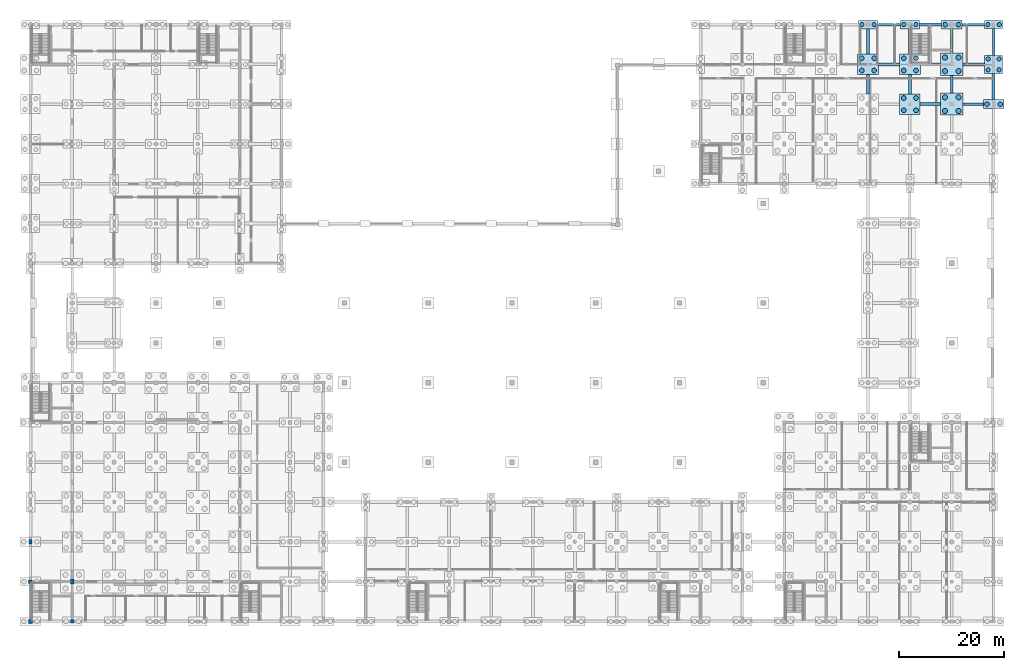
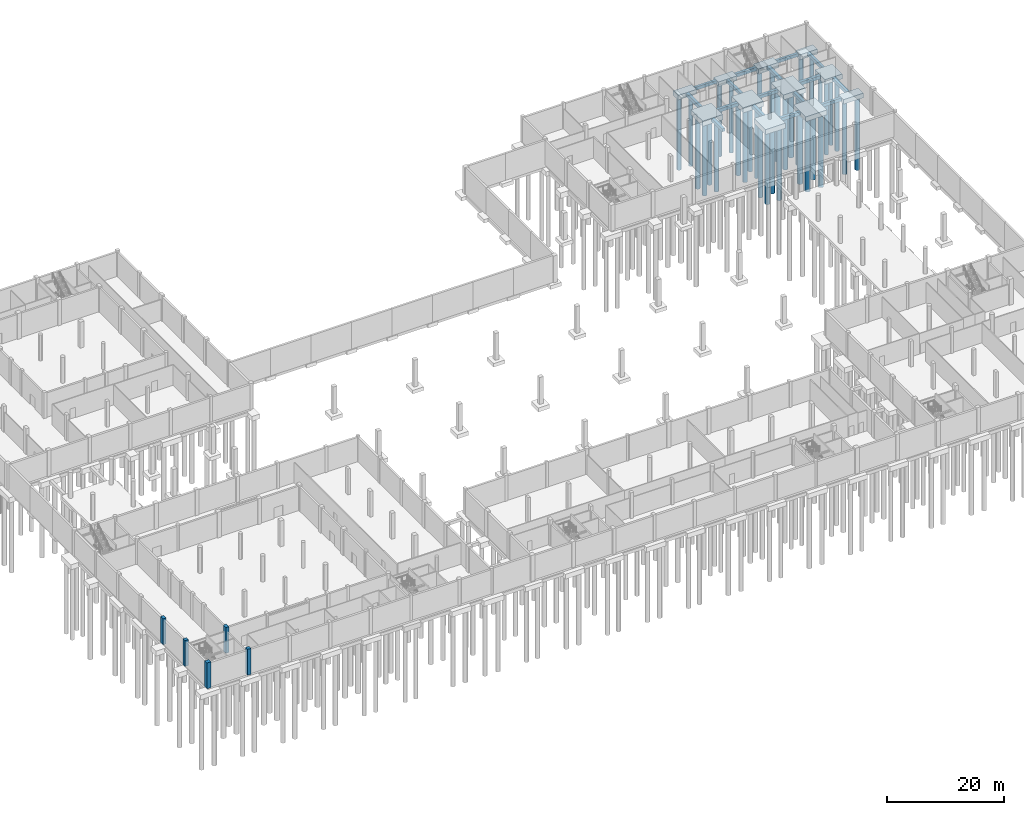
# One storey, part 17 of 44: 34 piles, 27 footings, 5 columns.
"""IFC4 building model written with IfcOpenShell, lengths in metres."""

import ifcopenshell
import ifcopenshell.guid

model = None  # the IFC model being written
_history = None  # IfcOwnerHistory: only IFC2X3 demands one
_inside = {}  # id of a spatial element -> (the spatial element, [elements in it])
_under = {}  # id of a project, library or spatial element -> (it, [spatial elements below it])
_declared = {}  # id of a project -> (the project, [libraries it declares])
_typed = {}  # id of a type object -> (the type object, [elements of that type])
_made_of = {}  # id of a material, layer set ... -> (it, [elements and type objects made of it])


def new_model(schema):
    """Start an empty IFC model of exactly this schema.

    Asked for "IFC4X3", IfcOpenShell would pick the latest addendum, in which some entities
    have other attributes; the version numbers below select the first issue.
    IFC2X3 requires an IfcOwnerHistory on every rooted entity: one is made here for all.
    """
    global model, _history
    if schema == "IFC4X3":
        model = ifcopenshell.file(schema_version=(4, 3, 0, 0))
    else:
        model = ifcopenshell.file(schema=schema)
    _inside.clear()
    _under.clear()
    _declared.clear()
    _typed.clear()
    _made_of.clear()
    _history = None
    if model.schema == "IFC2X3":
        org = make("IfcOrganization", Name="unknown")
        user = make(
            "IfcPersonAndOrganization",
            ThePerson=make("IfcPerson", FamilyName="unknown"),
            TheOrganization=org,
        )
        app = make(
            "IfcApplication",
            ApplicationDeveloper=org,
            Version="unknown",
            ApplicationFullName="unknown",
            ApplicationIdentifier="unknown",
        )
        _history = make(
            "IfcOwnerHistory",
            OwningUser=user,
            OwningApplication=app,
            ChangeAction="ADDED",
            CreationDate=0,
        )
    return model


def make(cls, **values):
    """One entity of the class cls with the attributes given. An attribute that is None is left unset."""
    return model.create_entity(
        cls, **{name: value for name, value in values.items() if value is not None}
    )


def rooted(cls, **values):
    """An entity with a GlobalId (a new one), such as an element, a storey or a relation."""
    return make(cls, GlobalId=ifcopenshell.guid.new(), OwnerHistory=_history, **values)


def si_unit(unit_type, name, prefix=None):
    """IfcSIUnit, for example si_unit("LENGTHUNIT", "METRE", prefix="MILLI")."""
    return make("IfcSIUnit", UnitType=unit_type, Prefix=prefix, Name=name)


def assignment(units):
    """IfcUnitAssignment: the units of a project."""
    return None if units is None else make("IfcUnitAssignment", Units=units)


def point(xyz):
    """IfcCartesianPoint."""
    return None if xyz is None else make("IfcCartesianPoint", Coordinates=xyz)


def direction(xyz):
    """IfcDirection."""
    return None if xyz is None else make("IfcDirection", DirectionRatios=xyz)


def frame(location, z_axis=None, x_axis=None):
    """IfcAxis2Placement3D, a coordinate frame: its origin and axes. An axis left out is left unset."""
    return make(
        "IfcAxis2Placement3D",
        Location=point(location),
        Axis=direction(z_axis),
        RefDirection=direction(x_axis),
    )


def frame_2d(location, x_axis=None):
    """IfcAxis2Placement2D, a coordinate frame in the plane: its origin and x axis."""
    return make(
        "IfcAxis2Placement2D", Location=point(location), RefDirection=direction(x_axis)
    )


def origin():
    """The frame at (0, 0, 0) with its axes left unset."""
    return frame((0.0, 0.0, 0.0))


def origin_with_axes():
    """The frame at (0, 0, 0) with the z axis (0, 0, 1) and the x axis (1, 0, 0) written out."""
    return frame((0.0, 0.0, 0.0), z_axis=(0.0, 0.0, 1.0), x_axis=(1.0, 0.0, 0.0))


def origin_2d():
    """The frame at (0, 0) in the plane with its x axis left unset."""
    return frame_2d((0.0, 0.0))


def place(relative_to, where):
    """IfcLocalPlacement: puts the frame where relative to a parent placement (None: the world)."""
    return make(
        "IfcLocalPlacement", PlacementRelTo=relative_to, RelativePlacement=where
    )


def context(
    kind, dimensions, precision=None, world=None, true_north=None, identifier=None
):
    """IfcGeometricRepresentationContext, for example the 3D "Model" context."""
    return make(
        "IfcGeometricRepresentationContext",
        ContextIdentifier=identifier,
        ContextType=kind,
        CoordinateSpaceDimension=dimensions,
        Precision=precision,
        WorldCoordinateSystem=world,
        TrueNorth=true_north,
    )


def subcontext(parent, identifier, kind, view, scale=None):
    """IfcGeometricRepresentationSubContext, for example "Body" below "Model"."""
    return make(
        "IfcGeometricRepresentationSubContext",
        ContextIdentifier=identifier,
        ContextType=kind,
        ParentContext=parent,
        TargetScale=scale,
        TargetView=view,
    )


def project(units=None, contexts=None):
    """IfcProject with its units and contexts."""
    return rooted(
        "IfcProject",
        Name="project",
        RepresentationContexts=contexts,
        UnitsInContext=assignment(units),
    )


def spatial(cls, under=None, at=None, **own):
    """A site, building, storey or space (cls), placed at a placement, below another one or the project."""
    s = rooted(cls, ObjectPlacement=at, **own)
    if under is not None:
        _under.setdefault(under.id(), (under, []))[1].append(s)
    return s


def polyline(points):
    """IfcPolyline through the points."""
    return make("IfcPolyline", Points=[point(p) for p in points])


def profile(cls, at=None, kind="AREA", **sizes):
    """A parametric profile (cls). Its sizes go by their IFC names, for example OverallWidth=200.0."""
    return make(cls, ProfileType=kind, Position=at, **sizes)


def rectangle(**sizes):
    """IfcRectangleProfileDef."""
    return profile("IfcRectangleProfileDef", **sizes)


def circle(**sizes):
    """IfcCircleProfileDef."""
    return profile("IfcCircleProfileDef", **sizes)


def outline(outer, holes=None, kind="AREA"):
    """IfcArbitraryClosedProfileDef: a profile drawn as a closed curve; with holes, ...WithVoids."""
    if holes is None:
        return make("IfcArbitraryClosedProfileDef", ProfileType=kind, OuterCurve=outer)
    return make(
        "IfcArbitraryProfileDefWithVoids",
        ProfileType=kind,
        OuterCurve=outer,
        InnerCurves=holes,
    )


def extrude(swept, where, along, depth):
    """IfcExtrudedAreaSolid: the profile swept, set in the frame where, extruded along a direction by depth."""
    return make(
        "IfcExtrudedAreaSolid",
        SweptArea=swept,
        Position=where,
        ExtrudedDirection=direction(along),
        Depth=depth,
    )


def shape(context_of_items, identifier, shape_type, items):
    """IfcShapeRepresentation: the items that make up one representation, for example the "Body"."""
    return make(
        "IfcShapeRepresentation",
        ContextOfItems=context_of_items,
        RepresentationIdentifier=identifier,
        RepresentationType=shape_type,
        Items=items,
    )


def material(Name=None, Category=None):
    """IfcMaterial."""
    return make("IfcMaterial", Name=Name, Category=Category)


def material_profile(
    of_material, cross_section, Name=None, Category=None, Priority=None
):
    """IfcMaterialProfile: a cross section and its material."""
    return make(
        "IfcMaterialProfile",
        Name=Name,
        Material=of_material,
        Profile=cross_section,
        Priority=Priority,
        Category=Category,
    )


def profile_set(profiles, Name=None, composite=None):
    """IfcMaterialProfileSet."""
    return make(
        "IfcMaterialProfileSet",
        Name=Name,
        MaterialProfiles=profiles,
        CompositeProfile=composite,
    )


def made_of(thing, what):
    """Note that an element or type object is made of a material, layer set ...; save() writes the relation."""
    if what is not None:
        _made_of.setdefault(what.id(), (what, []))[1].append(thing)
    return thing


def type_object(cls, material=None, **own):
    """A type object (cls), such as IfcWallType, which elements share."""
    return made_of(rooted(cls, **own), material)


def element(
    cls,
    number,
    at=None,
    inside=None,
    cuts=None,
    type_object=None,
    material=None,
    context=None,
    identifier="Body",
    shape_type=None,
    held_by="IfcProductDefinitionShape",
    body=None,
    shapes=None,
    **own,
):
    """One element of the class cls, such as IfcWall. Its Tag is "e" and its number.

    at: its placement. inside: the storey or other place that contains it. cuts: it is an
    opening in that element (IfcRelVoidsElement). A single representation is given by context,
    identifier, shape_type and body (its items); several are given by shapes. held_by: the class
    of the entity that holds the representations. save() writes the other relations.
    """
    e = rooted(cls, Tag="e%d" % number, ObjectPlacement=at, **own)
    if body is not None:
        shapes = [shape(context, identifier, shape_type, body)]
    if shapes is not None:
        e.Representation = make(held_by, Representations=shapes)
    if inside is not None:
        _inside.setdefault(inside.id(), (inside, []))[1].append(e)
    if cuts is not None:
        rooted(
            "IfcRelVoidsElement", RelatingBuildingElement=cuts, RelatedOpeningElement=e
        )
    if type_object is not None:
        _typed.setdefault(type_object.id(), (type_object, []))[1].append(e)
    return made_of(e, material)


def aggregate(whole, parts):
    """IfcRelAggregates: a whole, such as a stair, and the parts it consists of."""
    return rooted("IfcRelAggregates", RelatingObject=whole, RelatedObjects=parts)


def save(model, path):
    """Write the relations noted so far, then the file.

    IfcRelAggregates (storeys below a building ...), IfcRelContainedInSpatialStructure (elements
    in a storey), IfcRelDefinesByType, IfcRelAssociatesMaterial and IfcRelDeclares: one each for
    every whole, place, type object, material and project.
    """
    for whole, parts in _under.values():
        aggregate(whole, parts)
    for where, things in _inside.values():
        rooted(
            "IfcRelContainedInSpatialStructure",
            RelatedElements=things,
            RelatingStructure=where,
        )
    for kind, things in _typed.values():
        rooted("IfcRelDefinesByType", RelatedObjects=things, RelatingType=kind)
    for what, things in _made_of.values():
        rooted("IfcRelAssociatesMaterial", RelatedObjects=things, RelatingMaterial=what)
    for by, libraries in _declared.values():
        rooted("IfcRelDeclares", RelatingContext=by, RelatedDefinitions=libraries)
    model.write(path)


model = new_model("IFC4")

# Units and contexts
model_context = context("Model", 3, precision=1e-05, world=origin(), true_north=direction((0.0, 1.0)))
body_context = subcontext(model_context, "Body", "Model", "MODEL_VIEW")
ifc_project = project(units=[si_unit("LENGTHUNIT", "METRE"), si_unit("AREAUNIT", "SQUARE_METRE"), si_unit("VOLUMEUNIT", "CUBIC_METRE"), si_unit("PLANEANGLEUNIT", "RADIAN"), si_unit("MASSUNIT", "GRAM", prefix="KILO")], contexts=[model_context])

# Site, building, storey
site_placement = place(None, origin())
site = spatial("IfcSite", under=ifc_project, at=site_placement, CompositionType="ELEMENT")
building_placement = place(site_placement, origin())
building = spatial("IfcBuilding", under=site, at=building_placement, Name="Khelvaren Railside Concert Hall", CompositionType="ELEMENT")
storey_placement = place(building_placement, frame((0.0, 0.0, -5.39990234375)))
storey = spatial("IfcBuildingStorey", under=building, at=storey_placement, Name="B1", CompositionType="ELEMENT", Elevation=-5.39990234375)

# Piles
ifc_material_1 = material(Name="Concrete C35/45", Category="concrete")
ifc_material_profile_1 = material_profile(ifc_material_1, circle(Radius=0.449951171875, at=origin_2d()), Name="BP D900")
ifc_profile_set_1 = profile_set([ifc_material_profile_1], Name="Concrete C35/45")
pile_type_1 = type_object("IfcPileType", Name="BP51", PredefinedType="BORED", material=ifc_profile_set_1)
for number, where, z_axis, x_axis, name in (
    (1, (158.830078125, 105.22998046875, -1.5), (0.0, 0.0, -1.0), (1.0, 0.0, 0.0), "Bored Pile BP51 PC-V5-195-1"),
    (2, (161.169921875, 105.22998046875, -1.5), (0.0, 0.0, -1.0), (1.0, 0.0, 0.0), "Bored Pile BP51 PC-V5-195-2"),
    (3, (158.830078125, 107.570068359375, -1.5), (0.0, 0.0, -1.0), (1.0, 0.0, 0.0), "Bored Pile BP51 PC-V5-195-3"),
    (4, (161.169921875, 107.570068359375, -1.5), (0.0, 0.0, -1.0), (1.0, 0.0, 0.0), "Bored Pile BP51 PC-V5-195-4"),
):
    element("IfcPile", number, at=place(storey_placement, frame(where, z_axis=z_axis, x_axis=x_axis)), inside=storey, type_object=pile_type_1, Name=name, PredefinedType="BORED", context=body_context, shape_type="SweptSolid", body=[
        extrude(circle(Radius=0.449951171875, at=origin_2d()), origin(), (0.0, 0.0, 1.0), 15.10009765625),
    ])
for number, where, z_axis, x_axis, name in (
    (5, (166.830078125, 97.6298828125, -1.4501953125), (0.0, 0.0, -1.0), (1.0, 0.0, 0.0), "Bored Pile BP51 PC-V5-210-1"),
    (6, (169.169921875, 97.6298828125, -1.4501953125), (0.0, 0.0, -1.0), (1.0, 0.0, 0.0), "Bored Pile BP51 PC-V5-210-2"),
    (7, (166.830078125, 99.969970703125, -1.4501953125), (0.0, 0.0, -1.0), (1.0, 0.0, 0.0), "Bored Pile BP51 PC-V5-210-3"),
    (8, (169.169921875, 99.969970703125, -1.4501953125), (0.0, 0.0, -1.0), (1.0, 0.0, 0.0), "Bored Pile BP51 PC-V5-210-4"),
):
    element("IfcPile", number, at=place(storey_placement, frame(where, z_axis=z_axis, x_axis=x_axis)), inside=storey, type_object=pile_type_1, Name=name, PredefinedType="BORED", context=body_context, shape_type="SweptSolid", body=[
        extrude(circle(Radius=0.449951171875, at=origin_2d()), origin(), (0.0, 0.0, 1.0), 15.14990234375),
    ])
for number, where, z_axis, x_axis, name in (
    (9, (166.830078125, 105.22998046875, -1.5), (0.0, 0.0, -1.0), (1.0, 0.0, 0.0), "Bored Pile BP51 PC-V5-211-1"),
    (10, (169.169921875, 105.22998046875, -1.5), (0.0, 0.0, -1.0), (1.0, 0.0, 0.0), "Bored Pile BP51 PC-V5-211-2"),
    (11, (166.830078125, 107.570068359375, -1.5), (0.0, 0.0, -1.0), (1.0, 0.0, 0.0), "Bored Pile BP51 PC-V5-211-3"),
    (12, (169.169921875, 107.570068359375, -1.5), (0.0, 0.0, -1.0), (1.0, 0.0, 0.0), "Bored Pile BP51 PC-V5-211-4"),
    (13, (174.75, 114.0, -1.5), (0.0, 0.0, -1.0), (1.0, 0.0, 0.0), "Bored Pile BP51 PC-V5-223-1"),
    (14, (177.25, 114.0, -1.5), (0.0, 0.0, -1.0), (1.0, 0.0, 0.0), "Bored Pile BP51 PC-V5-223-2"),
):
    element("IfcPile", number, at=place(storey_placement, frame(where, z_axis=z_axis, x_axis=x_axis)), inside=storey, type_object=pile_type_1, Name=name, PredefinedType="BORED", context=body_context, shape_type="SweptSolid", body=[
        extrude(circle(Radius=0.449951171875, at=origin_2d()), origin(), (0.0, 0.0, 1.0), 15.10009765625),
    ])
for number, where, z_axis, x_axis, name in (
    (15, (182.72998046875, 98.800048828125, -1.35009765625), (0.0, 0.0, -1.0), (1.0, 0.0, 0.0), "Bored Pile BP51 PC-V5-232-1"),
    (16, (185.27001953125, 98.800048828125, -1.35009765625), (0.0, 0.0, -1.0), (1.0, 0.0, 0.0), "Bored Pile BP51 PC-V5-232-2"),
):
    element("IfcPile", number, at=place(storey_placement, frame(where, z_axis=z_axis, x_axis=x_axis)), inside=storey, type_object=pile_type_1, Name=name, PredefinedType="BORED", context=body_context, shape_type="SweptSolid", body=[
        extrude(circle(Radius=0.449951171875, at=origin_2d()), origin(), (0.0, 0.0, 1.0), 15.25),
    ])
ifc_material_profile_2 = material_profile(ifc_material_1, circle(Radius=0.39990234375, at=origin_2d()), Name="BP D800")
ifc_profile_set_2 = profile_set([ifc_material_profile_2], Name="Concrete C35/45")
pile_type_2 = type_object("IfcPileType", Name="BP84", PredefinedType="BORED", material=ifc_profile_set_2)
for number, where, z_axis, x_axis, name in (
    (17, (158.840087890625, 114.0, -1.35009765625), (0.0, 0.0, -1.0), (1.0, 0.0, 0.0), "Bored Pile BP84 PC-V5-196-1"),
    (18, (161.159912109375, 114.0, -1.35009765625), (0.0, 0.0, -1.0), (1.0, 0.0, 0.0), "Bored Pile BP84 PC-V5-196-2"),
    (19, (166.840087890625, 114.0, -1.35009765625), (0.0, 0.0, -1.0), (1.0, 0.0, 0.0), "Bored Pile BP84 PC-V5-212-1"),
    (20, (169.159912109375, 114.0, -1.35009765625), (0.0, 0.0, -1.0), (1.0, 0.0, 0.0), "Bored Pile BP84 PC-V5-212-2"),
):
    element("IfcPile", number, at=place(storey_placement, frame(where, z_axis=z_axis, x_axis=x_axis)), inside=storey, type_object=pile_type_2, Name=name, PredefinedType="BORED", context=body_context, shape_type="SweptSolid", body=[
        extrude(circle(Radius=0.39990234375, at=origin_2d()), origin(), (0.0, 0.0, 1.0), 15.25),
    ])
for number, where, z_axis, x_axis, name in (
    (21, (182.9599609375, 105.360107421875, -1.400146484375), (0.0, 0.0, -1.0), (1.0, 0.0, 0.0), "Bored Pile BP84 PC-V5-233-1"),
    (22, (185.0400390625, 105.360107421875, -1.400146484375), (0.0, 0.0, -1.0), (1.0, 0.0, 0.0), "Bored Pile BP84 PC-V5-233-2"),
    (23, (182.9599609375, 107.43994140625, -1.400146484375), (0.0, 0.0, -1.0), (1.0, 0.0, 0.0), "Bored Pile BP84 PC-V5-233-3"),
    (24, (185.0400390625, 107.43994140625, -1.400146484375), (0.0, 0.0, -1.0), (1.0, 0.0, 0.0), "Bored Pile BP84 PC-V5-233-4"),
):
    element("IfcPile", number, at=place(storey_placement, frame(where, z_axis=z_axis, x_axis=x_axis)), inside=storey, type_object=pile_type_2, Name=name, PredefinedType="BORED", context=body_context, shape_type="SweptSolid", body=[
        extrude(circle(Radius=0.39990234375, at=origin_2d()), origin(), (0.0, 0.0, 1.0), 15.199951171875),
    ])
for number, where, z_axis, x_axis, name in (
    (25, (182.919921875, 114.0, -1.4501953125), (0.0, 0.0, -1.0), (1.0, 0.0, 0.0), "Bored Pile BP84 PC-V5-234-1"),
    (26, (185.080078125, 114.0, -1.4501953125), (0.0, 0.0, -1.0), (1.0, 0.0, 0.0), "Bored Pile BP84 PC-V5-234-2"),
):
    element("IfcPile", number, at=place(storey_placement, frame(where, z_axis=z_axis, x_axis=x_axis)), inside=storey, type_object=pile_type_2, Name=name, PredefinedType="BORED", context=body_context, shape_type="SweptSolid", body=[
        extrude(circle(Radius=0.39990234375, at=origin_2d()), origin(), (0.0, 0.0, 1.0), 15.14990234375),
    ])
ifc_material_profile_3 = material_profile(ifc_material_1, circle(Radius=0.5, at=origin_2d()), Name="BP D1000")
ifc_profile_set_3 = profile_set([ifc_material_profile_3], Name="Concrete C35/45")
pile_type_3 = type_object("IfcPileType", Name="BP88", PredefinedType="BORED", material=ifc_profile_set_3)
for number, where, z_axis, x_axis, name in (
    (27, (174.699951171875, 97.5, -1.400146484375), (0.0, 0.0, -1.0), (1.0, 0.0, 0.0), "Bored Pile BP88 PC-V5-221-1"),
    (28, (177.300048828125, 97.5, -1.400146484375), (0.0, 0.0, -1.0), (1.0, 0.0, 0.0), "Bored Pile BP88 PC-V5-221-2"),
    (29, (174.699951171875, 100.10009765625, -1.400146484375), (0.0, 0.0, -1.0), (1.0, 0.0, 0.0), "Bored Pile BP88 PC-V5-221-3"),
    (30, (177.300048828125, 100.10009765625, -1.400146484375), (0.0, 0.0, -1.0), (1.0, 0.0, 0.0), "Bored Pile BP88 PC-V5-221-4"),
):
    element("IfcPile", number, at=place(storey_placement, frame(where, z_axis=z_axis, x_axis=x_axis)), inside=storey, type_object=pile_type_3, Name=name, PredefinedType="BORED", context=body_context, shape_type="SweptSolid", body=[
        extrude(circle(Radius=0.5, at=origin_2d()), origin(), (0.0, 0.0, 1.0), 15.199951171875),
    ])
for number, where, z_axis, x_axis, name in (
    (31, (174.699951171875, 105.10009765625, -1.4501953125), (0.0, 0.0, -1.0), (1.0, 0.0, 0.0), "Bored Pile BP88 PC-V5-222-1"),
    (32, (177.300048828125, 105.10009765625, -1.4501953125), (0.0, 0.0, -1.0), (1.0, 0.0, 0.0), "Bored Pile BP88 PC-V5-222-2"),
    (33, (174.699951171875, 107.699951171875, -1.4501953125), (0.0, 0.0, -1.0), (1.0, 0.0, 0.0), "Bored Pile BP88 PC-V5-222-3"),
    (34, (177.300048828125, 107.699951171875, -1.4501953125), (0.0, 0.0, -1.0), (1.0, 0.0, 0.0), "Bored Pile BP88 PC-V5-222-4"),
):
    element("IfcPile", number, at=place(storey_placement, frame(where, z_axis=z_axis, x_axis=x_axis)), inside=storey, type_object=pile_type_3, Name=name, PredefinedType="BORED", context=body_context, shape_type="SweptSolid", body=[
        extrude(circle(Radius=0.5, at=origin_2d()), origin(), (0.0, 0.0, 1.0), 15.14990234375),
    ])

# Footings
footing_type_1 = type_object("IfcFootingType", Name="GB49", PredefinedType="FOOTING_BEAM", material=ifc_material_1)
footing_1_placement = place(storey_placement, frame((0.0, 0.0, -1.150146484375)))
element("IfcFooting", 35, at=footing_1_placement, inside=storey, type_object=footing_type_1, Name="Ground Tie Beam GB49 181", PredefinedType="FOOTING_BEAM", context=body_context, shape_type="SweptSolid", body=[
    extrude(outline(polyline([(178.1201171875, 98.550048828125), (182.02001953125, 98.550048828125), (182.02001953125, 99.050048828125), (178.1201171875, 99.050048828125), (178.1201171875, 98.550048828125)])), origin(), (0.0, 0.0, 1.0), 0.650146484375),
])
footing_2_placement = place(storey_placement, frame((0.0, 0.0, -1.150146484375)))
element("IfcFooting", 36, at=footing_2_placement, inside=storey, type_object=footing_type_1, Name="Ground Tie Beam GB49 193", PredefinedType="FOOTING_BEAM", context=body_context, shape_type="SweptSolid", body=[
    extrude(outline(polyline([(170.0, 106.14990234375), (173.840087890625, 106.14990234375), (173.840087890625, 106.64990234375), (170.0, 106.64990234375), (170.0, 106.14990234375)])), origin(), (0.0, 0.0, 1.0), 0.650146484375),
])
footing_3_placement = place(storey_placement, frame((0.0, 0.0, -1.150146484375)))
element("IfcFooting", 37, at=footing_3_placement, inside=storey, type_object=footing_type_1, Name="Ground Tie Beam GB49 205", PredefinedType="FOOTING_BEAM", context=body_context, shape_type="SweptSolid", body=[
    extrude(outline(polyline([(161.820068359375, 113.75), (166.179931640625, 113.75), (166.179931640625, 114.25), (161.820068359375, 114.25), (161.820068359375, 113.75)])), origin(), (0.0, 0.0, 1.0), 0.650146484375),
])
footing_4_placement = place(storey_placement, frame((0.0, 0.0, -1.150146484375)))
element("IfcFooting", 38, at=footing_4_placement, inside=storey, type_object=footing_type_1, Name="Ground Tie Beam GB49 207", PredefinedType="FOOTING_BEAM", context=body_context, shape_type="SweptSolid", body=[
    extrude(outline(polyline([(177.9599609375, 113.75), (182.260009765625, 113.75), (182.260009765625, 114.25), (177.9599609375, 114.25), (177.9599609375, 113.75)])), origin(), (0.0, 0.0, 1.0), 0.650146484375),
])
footing_5_placement = place(storey_placement, frame((0.0, 0.0, -1.150146484375)))
element("IfcFooting", 39, at=footing_5_placement, inside=storey, type_object=footing_type_1, Name="Ground Tie Beam GB49 373", PredefinedType="FOOTING_BEAM", context=body_context, shape_type="SweptSolid", body=[
    extrude(outline(polyline([(159.75, 100.760009765625), (160.25, 100.760009765625), (160.25, 104.419921875), (159.75, 104.419921875), (159.75, 100.760009765625)])), origin(), (0.0, 0.0, 1.0), 0.650146484375),
])
footing_6_placement = place(storey_placement, frame((0.0, 0.0, -1.150146484375)))
element("IfcFooting", 40, at=footing_6_placement, inside=storey, type_object=footing_type_1, Name="Ground Tie Beam GB49 389", PredefinedType="FOOTING_BEAM", context=body_context, shape_type="SweptSolid", body=[
    extrude(outline(polyline([(167.75, 108.3798828125), (168.25, 108.3798828125), (168.25, 113.175048828125), (167.75, 113.175048828125), (167.75, 108.3798828125)])), origin(), (0.0, 0.0, 1.0), 0.650146484375),
])
footing_7_placement = place(storey_placement, frame((0.0, 0.0, -1.150146484375)))
element("IfcFooting", 41, at=footing_7_placement, inside=storey, type_object=footing_type_1, Name="Ground Tie Beam GB49 397", PredefinedType="FOOTING_BEAM", context=body_context, shape_type="SweptSolid", body=[
    extrude(outline(polyline([(175.75, 100.89990234375), (176.25, 100.89990234375), (176.25, 104.260009765625), (175.75, 104.260009765625), (175.75, 100.89990234375)])), origin(), (0.0, 0.0, 1.0), 0.650146484375),
])
footing_8_placement = place(storey_placement, frame((0.0, 0.0, -1.150146484375)))
element("IfcFooting", 42, at=footing_8_placement, inside=storey, type_object=footing_type_1, Name="Ground Tie Beam GB49 407", PredefinedType="FOOTING_BEAM", context=body_context, shape_type="SweptSolid", body=[
    extrude(outline(polyline([(183.75, 108.1201171875), (184.25, 108.1201171875), (184.25, 113.22509765625), (183.75, 113.22509765625), (183.75, 108.1201171875)])), origin(), (0.0, 0.0, 1.0), 0.650146484375),
])
footing_type_2 = type_object("IfcFootingType", Name="GB57", PredefinedType="FOOTING_BEAM", material=ifc_material_1)
footing_9_placement = place(storey_placement, frame((0.0, 0.0, -1.2001953125)))
element("IfcFooting", 43, at=footing_9_placement, inside=storey, type_object=footing_type_2, Name="Ground Tie Beam GB57 180", PredefinedType="FOOTING_BEAM", context=body_context, shape_type="SweptSolid", body=[
    extrude(outline(polyline([(169.97998046875, 98.52490234375), (173.8798828125, 98.52490234375), (173.8798828125, 99.074951171875), (169.97998046875, 99.074951171875), (169.97998046875, 98.52490234375)])), origin(), (0.0, 0.0, 1.0), 0.7001953125),
])
footing_10_placement = place(storey_placement, frame((0.0, 0.0, -1.2001953125)))
element("IfcFooting", 44, at=footing_10_placement, inside=storey, type_object=footing_type_2, Name="Ground Tie Beam GB57 192", PredefinedType="FOOTING_BEAM", context=body_context, shape_type="SweptSolid", body=[
    extrude(outline(polyline([(162.0, 106.125), (166.0, 106.125), (166.0, 106.675048828125), (162.0, 106.675048828125), (162.0, 106.125)])), origin(), (0.0, 0.0, 1.0), 0.7001953125),
])
footing_11_placement = place(storey_placement, frame((0.0, 0.0, -1.2001953125)))
element("IfcFooting", 45, at=footing_11_placement, inside=storey, type_object=footing_type_2, Name="Ground Tie Beam GB57 194", PredefinedType="FOOTING_BEAM", context=body_context, shape_type="SweptSolid", body=[
    extrude(outline(polyline([(178.159912109375, 106.125), (182.280029296875, 106.125), (182.280029296875, 106.675048828125), (178.159912109375, 106.675048828125), (178.159912109375, 106.125)])), origin(), (0.0, 0.0, 1.0), 0.7001953125),
])
footing_12_placement = place(storey_placement, frame((0.0, 0.0, -1.2001953125)))
element("IfcFooting", 46, at=footing_12_placement, inside=storey, type_object=footing_type_2, Name="Ground Tie Beam GB57 206", PredefinedType="FOOTING_BEAM", context=body_context, shape_type="SweptSolid", body=[
    extrude(outline(polyline([(169.820068359375, 113.72509765625), (174.0400390625, 113.72509765625), (174.0400390625, 114.27490234375), (169.820068359375, 114.27490234375), (169.820068359375, 113.72509765625)])), origin(), (0.0, 0.0, 1.0), 0.7001953125),
])
footing_13_placement = place(storey_placement, frame((0.0, 0.0, -1.2001953125)))
element("IfcFooting", 47, at=footing_13_placement, inside=storey, type_object=footing_type_2, Name="Ground Tie Beam GB57 374", PredefinedType="FOOTING_BEAM", context=body_context, shape_type="SweptSolid", body=[
    extrude(outline(polyline([(159.72509765625, 108.3798828125), (160.27490234375, 108.3798828125), (160.27490234375, 113.175048828125), (159.72509765625, 113.175048828125), (159.72509765625, 108.3798828125)])), origin(), (0.0, 0.0, 1.0), 0.7001953125),
])
footing_14_placement = place(storey_placement, frame((0.0, 0.0, -1.2001953125)))
element("IfcFooting", 48, at=footing_14_placement, inside=storey, type_object=footing_type_2, Name="Ground Tie Beam GB57 388", PredefinedType="FOOTING_BEAM", context=body_context, shape_type="SweptSolid", body=[
    extrude(outline(polyline([(167.72509765625, 100.760009765625), (168.27490234375, 100.760009765625), (168.27490234375, 104.419921875), (167.72509765625, 104.419921875), (167.72509765625, 100.760009765625)])), origin(), (0.0, 0.0, 1.0), 0.7001953125),
])
footing_15_placement = place(storey_placement, frame((0.0, 0.0, -1.2001953125)))
element("IfcFooting", 49, at=footing_15_placement, inside=storey, type_object=footing_type_2, Name="Ground Tie Beam GB57 398", PredefinedType="FOOTING_BEAM", context=body_context, shape_type="SweptSolid", body=[
    extrude(outline(polyline([(175.72509765625, 108.5400390625), (176.27490234375, 108.5400390625), (176.27490234375, 113.125), (175.72509765625, 113.125), (175.72509765625, 108.5400390625)])), origin(), (0.0, 0.0, 1.0), 0.7001953125),
])
footing_16_placement = place(storey_placement, frame((0.0, 0.0, -1.2001953125)))
element("IfcFooting", 50, at=footing_16_placement, inside=storey, type_object=footing_type_2, Name="Ground Tie Beam GB57 406", PredefinedType="FOOTING_BEAM", context=body_context, shape_type="SweptSolid", body=[
    extrude(outline(polyline([(183.72509765625, 99.675048828125), (184.27490234375, 99.675048828125), (184.27490234375, 104.679931640625), (183.72509765625, 104.679931640625), (183.72509765625, 99.675048828125)])), origin(), (0.0, 0.0, 1.0), 0.7001953125),
])
footing_type_3 = type_object("IfcFootingType", Name="PC11", PredefinedType="PILE_CAP", material=ifc_material_1)
footing_17_placement = place(storey_placement, frame((0.0, 0.0, -1.5)))
element("IfcFooting", 51, at=footing_17_placement, inside=storey, type_object=footing_type_3, Name="Pile Cap PC11 (176.0,98.8)", PredefinedType="PILE_CAP", context=body_context, shape_type="SweptSolid", body=[
    extrude(outline(polyline([(173.8798828125, 96.699951171875), (178.1201171875, 96.699951171875), (178.1201171875, 100.89990234375), (173.8798828125, 100.89990234375), (173.8798828125, 96.699951171875)])), origin(), (0.0, 0.0, 1.0), 1.0),
])
footing_type_4 = type_object("IfcFootingType", Name="PC13", PredefinedType="PILE_CAP", material=ifc_material_1)
footing_18_placement = place(storey_placement, frame((0.0, 0.0, -1.550048828125)))
element("IfcFooting", 52, at=footing_18_placement, inside=storey, type_object=footing_type_4, Name="Pile Cap PC13 (168.0,98.8)", PredefinedType="PILE_CAP", context=body_context, shape_type="SweptSolid", body=[
    extrude(outline(polyline([(166.02001953125, 96.840087890625), (169.97998046875, 96.840087890625), (169.97998046875, 100.760009765625), (166.02001953125, 100.760009765625), (166.02001953125, 96.840087890625)])), origin(), (0.0, 0.0, 1.0), 1.050048828125),
])
footing_type_5 = type_object("IfcFootingType", Name="PC22", PredefinedType="PILE_CAP", material=ifc_material_1)
footing_19_placement = place(storey_placement, frame((0.0, 0.0, -1.5)))
element("IfcFooting", 53, at=footing_19_placement, inside=storey, type_object=footing_type_5, Name="Pile Cap PC22 (184.0,106.4)", PredefinedType="PILE_CAP", context=body_context, shape_type="SweptSolid", body=[
    extrude(outline(polyline([(182.280029296875, 104.679931640625), (185.719970703125, 104.679931640625), (185.719970703125, 108.1201171875), (182.280029296875, 108.1201171875), (182.280029296875, 104.679931640625)])), origin(), (0.0, 0.0, 1.0), 1.0),
])
footing_type_6 = type_object("IfcFootingType", Name="PC44", PredefinedType="PILE_CAP", material=ifc_material_1)
footing_20_placement = place(storey_placement, frame((0.0, 0.0, -1.550048828125)))
element("IfcFooting", 54, at=footing_20_placement, inside=storey, type_object=footing_type_6, Name="Pile Cap PC44 (184.0,114.0)", PredefinedType="PILE_CAP", context=body_context, shape_type="SweptSolid", body=[
    extrude(outline(polyline([(182.260009765625, 113.22509765625), (185.739990234375, 113.22509765625), (185.739990234375, 114.77490234375), (182.260009765625, 114.77490234375), (182.260009765625, 113.22509765625)])), origin(), (0.0, 0.0, 1.0), 1.050048828125),
])
footing_type_7 = type_object("IfcFootingType", Name="PC51", PredefinedType="PILE_CAP", material=ifc_material_1)
footing_21_placement = place(storey_placement, frame((0.0, 0.0, -1.60009765625)))
element("IfcFooting", 55, at=footing_21_placement, inside=storey, type_object=footing_type_7, Name="Pile Cap PC51 (160.0,106.4)", PredefinedType="PILE_CAP", context=body_context, shape_type="SweptSolid", body=[
    extrude(outline(polyline([(158.0, 104.419921875), (162.0, 104.419921875), (162.0, 108.3798828125), (158.0, 108.3798828125), (158.0, 104.419921875)])), origin(), (0.0, 0.0, 1.0), 1.10009765625),
])
footing_22_placement = place(storey_placement, frame((0.0, 0.0, -1.60009765625)))
element("IfcFooting", 56, at=footing_22_placement, inside=storey, type_object=footing_type_7, Name="Pile Cap PC51 (168.0,106.4)", PredefinedType="PILE_CAP", context=body_context, shape_type="SweptSolid", body=[
    extrude(outline(polyline([(166.0, 104.419921875), (170.0, 104.419921875), (170.0, 108.3798828125), (166.0, 108.3798828125), (166.0, 104.419921875)])), origin(), (0.0, 0.0, 1.0), 1.10009765625),
])
footing_type_8 = type_object("IfcFootingType", Name="PC54", PredefinedType="PILE_CAP", material=ifc_material_1)
footing_23_placement = place(storey_placement, frame((0.0, 0.0, -1.60009765625)))
element("IfcFooting", 57, at=footing_23_placement, inside=storey, type_object=footing_type_8, Name="Pile Cap PC54 (176.0,114.0)", PredefinedType="PILE_CAP", context=body_context, shape_type="SweptSolid", body=[
    extrude(outline(polyline([(174.0400390625, 113.125), (177.9599609375, 113.125), (177.9599609375, 114.875), (174.0400390625, 114.875), (174.0400390625, 113.125)])), origin(), (0.0, 0.0, 1.0), 1.10009765625),
])
footing_type_9 = type_object("IfcFootingType", Name="PC70", PredefinedType="PILE_CAP", material=ifc_material_1)
footing_24_placement = place(storey_placement, frame((0.0, 0.0, -1.550048828125)))
element("IfcFooting", 58, at=footing_24_placement, inside=storey, type_object=footing_type_9, Name="Pile Cap PC70 (176.0,106.4)", PredefinedType="PILE_CAP", context=body_context, shape_type="SweptSolid", body=[
    extrude(outline(polyline([(173.840087890625, 104.260009765625), (178.159912109375, 104.260009765625), (178.159912109375, 108.5400390625), (173.840087890625, 108.5400390625), (173.840087890625, 104.260009765625)])), origin(), (0.0, 0.0, 1.0), 1.050048828125),
])
footing_type_10 = type_object("IfcFootingType", Name="PC78", PredefinedType="PILE_CAP", material=ifc_material_1)
footing_25_placement = place(storey_placement, frame((0.0, 0.0, -1.4501953125)))
element("IfcFooting", 59, at=footing_25_placement, inside=storey, type_object=footing_type_10, Name="Pile Cap PC78 (160.0,114.0)", PredefinedType="PILE_CAP", context=body_context, shape_type="SweptSolid", body=[
    extrude(outline(polyline([(158.179931640625, 113.175048828125), (161.820068359375, 113.175048828125), (161.820068359375, 114.824951171875), (158.179931640625, 114.824951171875), (158.179931640625, 113.175048828125)])), origin(), (0.0, 0.0, 1.0), 0.9501953125),
])
footing_26_placement = place(storey_placement, frame((0.0, 0.0, -1.4501953125)))
element("IfcFooting", 60, at=footing_26_placement, inside=storey, type_object=footing_type_10, Name="Pile Cap PC78 (168.0,114.0)", PredefinedType="PILE_CAP", context=body_context, shape_type="SweptSolid", body=[
    extrude(outline(polyline([(166.179931640625, 113.175048828125), (169.820068359375, 113.175048828125), (169.820068359375, 114.824951171875), (166.179931640625, 114.824951171875), (166.179931640625, 113.175048828125)])), origin(), (0.0, 0.0, 1.0), 0.9501953125),
])
footing_type_11 = type_object("IfcFootingType", Name="PC87", PredefinedType="PILE_CAP", material=ifc_material_1)
footing_27_placement = place(storey_placement, frame((0.0, 0.0, -1.4501953125)))
element("IfcFooting", 61, at=footing_27_placement, inside=storey, type_object=footing_type_11, Name="Pile Cap PC87 (184.0,98.8)", PredefinedType="PILE_CAP", context=body_context, shape_type="SweptSolid", body=[
    extrude(outline(polyline([(182.02001953125, 97.925048828125), (185.97998046875, 97.925048828125), (185.97998046875, 99.675048828125), (182.02001953125, 99.675048828125), (182.02001953125, 97.925048828125)])), origin(), (0.0, 0.0, 1.0), 0.9501953125),
])

# Columns
ifc_material_2 = material(Name="Concrete C45/55", Category="concrete")
ifc_material_profile_4 = material_profile(ifc_material_2, rectangle(XDim=0.699951171875, YDim=0.699951171875, at=origin_2d()), Name="RC 700x700")
ifc_profile_set_4 = profile_set([ifc_material_profile_4], Name="Concrete C45/55")
column_type_1 = type_object("IfcColumnType", Name="COL16", PredefinedType="COLUMN", material=ifc_profile_set_4)
for number, where, z_axis, x_axis, name in (
    (62, (0.0, 7.60009765625, 0.0), (0.0, 0.0, 1.0), (1.0, 0.0, 0.0), "V1 B1 Column (0.0,7.6)"),
    (63, (8.0, 0.0, 0.0), (0.0, 0.0, 1.0), (1.0, 0.0, 0.0), "V1 B1 Column (8.0,0.0)"),
):
    element("IfcColumn", number, at=place(storey_placement, frame(where, z_axis=z_axis, x_axis=x_axis)), inside=storey, type_object=column_type_1, Name=name, PredefinedType="COLUMN", context=body_context, shape_type="SweptSolid", body=[
        extrude(rectangle(XDim=0.699951171875, YDim=0.699951171875, at=origin_2d()), origin(), (0.0, 0.0, 1.0), 5.39990234375),
    ])
ifc_material_profile_5 = material_profile(ifc_material_2, rectangle(XDim=0.60009765625, YDim=0.89990234375, at=origin_2d()), Name="RC 600x900")
ifc_profile_set_5 = profile_set([ifc_material_profile_5], Name="Concrete C45/55")
column_type_2 = type_object("IfcColumnType", Name="COL33", PredefinedType="COLUMN", material=ifc_profile_set_5)
column_1_placement = place(storey_placement, frame((8.0, 7.60009765625, 0.0), z_axis=(0.0, 0.0, 1.0), x_axis=(1.0, 0.0, 0.0)))
element("IfcColumn", 64, at=column_1_placement, inside=storey, type_object=column_type_2, Name="V1 B1 Column (8.0,7.6)", PredefinedType="COLUMN", context=body_context, shape_type="SweptSolid", body=[
    extrude(rectangle(XDim=0.60009765625, YDim=0.89990234375, at=origin_2d()), origin(), (0.0, 0.0, 1.0), 5.39990234375),
])
ifc_material_profile_6 = material_profile(ifc_material_2, rectangle(XDim=0.800048828125, YDim=0.800048828125, at=origin_2d()), Name="RC 800x800")
ifc_profile_set_6 = profile_set([ifc_material_profile_6], Name="Concrete C45/55")
column_type_3 = type_object("IfcColumnType", Name="COL38", PredefinedType="COLUMN", material=ifc_profile_set_6)
column_2_placement = place(storey_placement, origin_with_axes())
element("IfcColumn", 65, at=column_2_placement, inside=storey, type_object=column_type_3, Name="V1 B1 Column (0.0,0.0)", PredefinedType="COLUMN", context=body_context, shape_type="SweptSolid", body=[
    extrude(rectangle(XDim=0.800048828125, YDim=0.800048828125, at=origin_2d()), origin(), (0.0, 0.0, 1.0), 5.39990234375),
])
ifc_material_profile_7 = material_profile(ifc_material_2, rectangle(XDim=0.60009765625, YDim=0.89990234375, at=origin_2d()), Name="RC 600x900")
ifc_profile_set_7 = profile_set([ifc_material_profile_7], Name="Concrete C45/55")
column_type_4 = type_object("IfcColumnType", Name="COL95", PredefinedType="COLUMN", material=ifc_profile_set_7)
column_3_placement = place(storey_placement, frame((0.0, 15.199951171875, 0.0), z_axis=(0.0, 0.0, 1.0), x_axis=(1.0, 0.0, 0.0)))
element("IfcColumn", 66, at=column_3_placement, inside=storey, type_object=column_type_4, Name="V1 B1 Column (0.0,15.2)", PredefinedType="COLUMN", context=body_context, shape_type="SweptSolid", body=[
    extrude(rectangle(XDim=0.60009765625, YDim=0.89990234375, at=origin_2d()), origin(), (0.0, 0.0, 1.0), 5.39990234375),
])

save(model, "model.ifc")
